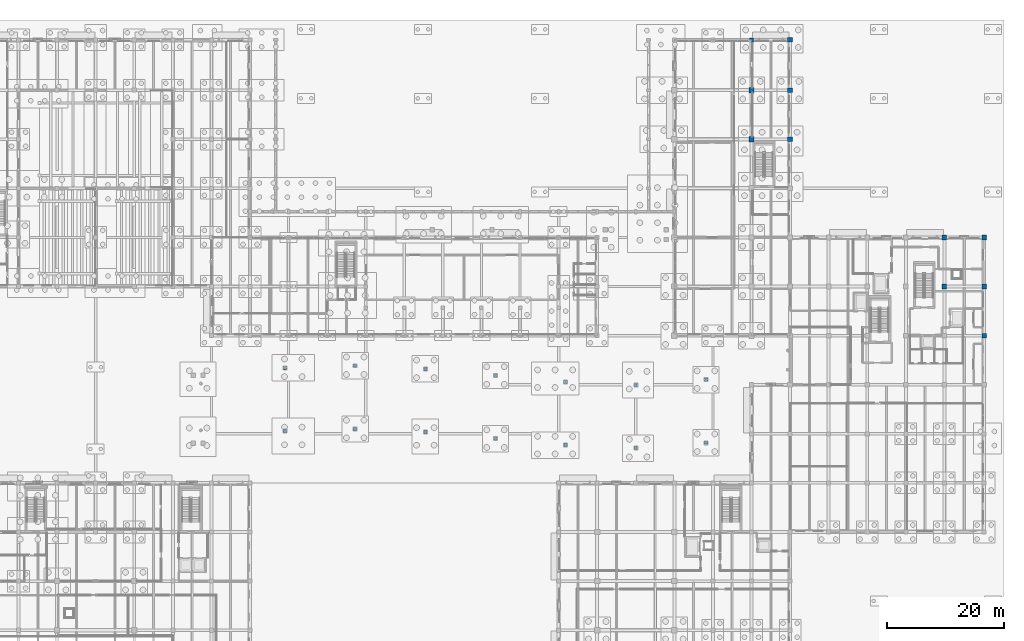
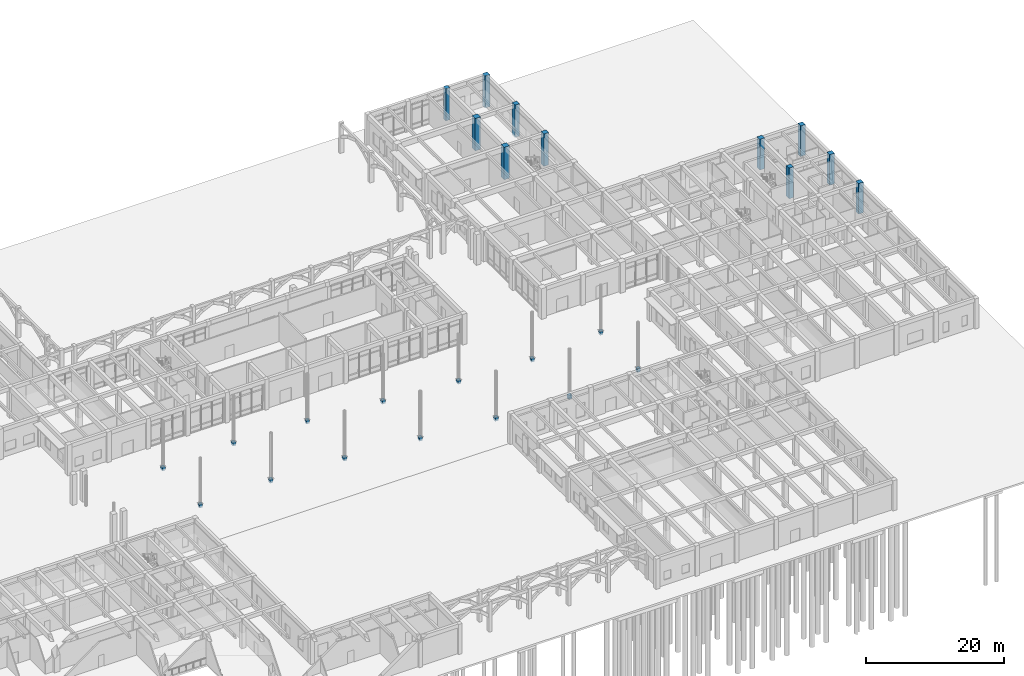
# One storey, part 20 of 82: 25 columns.
"""IFC4 building model written with IfcOpenShell, lengths in metres."""

from ifc_helpers import new_model, si_unit, direction, frame, origin, origin_2d, place, context, subcontext, project, spatial, rectangle, extrude, material, material_profile, profile_set, type_object, element, save


model = new_model("IFC4")

# Units and contexts
model_context = context("Model", 3, precision=1e-05, world=origin(), true_north=direction((0.0, 1.0)))
body_context = subcontext(model_context, "Body", "Model", "MODEL_VIEW")
ifc_project = project(units=[si_unit("LENGTHUNIT", "METRE"), si_unit("AREAUNIT", "SQUARE_METRE"), si_unit("VOLUMEUNIT", "CUBIC_METRE"), si_unit("PLANEANGLEUNIT", "RADIAN"), si_unit("MASSUNIT", "GRAM", prefix="KILO")], contexts=[model_context])

# Site, building, storey
site_placement = place(None, origin())
site = spatial("IfcSite", under=ifc_project, at=site_placement, CompositionType="ELEMENT")
building_placement = place(site_placement, origin())
building = spatial("IfcBuilding", under=site, at=building_placement, Name="Kolvaren Faculty of Natural Sciences", CompositionType="ELEMENT")
storey_placement = place(building_placement, origin())
storey = spatial("IfcBuildingStorey", under=building, at=storey_placement, Name="L00", CompositionType="ELEMENT", Elevation=0.0)

# Columns
ifc_material_1 = material(Name="Concrete C35/45", Category="concrete")
ifc_material_profile_1 = material_profile(ifc_material_1, rectangle(XDim=0.5, YDim=0.5, at=origin_2d()), Name="RC COL 500x500")
ifc_profile_set_1 = profile_set([ifc_material_profile_1], Name="Concrete C35/45")
column_type_1 = type_object("IfcColumnType", Name="GaliboColumn_500x500", PredefinedType="COLUMN", material=ifc_profile_set_1)
for number, where, z_axis, x_axis, name in (
    (1, (52.39990234375, 51.09375, -0.320068359375), (0.0, 0.0, 1.0), (1.0, 0.0, 0.0), "Steel tree TREE-01 RC pedestal pier"),
    (2, (52.39990234375, 61.893798828125, -0.320068359375), (0.0, 0.0, 1.0), (1.0, 0.0, 0.0), "Steel tree TREE-02 RC pedestal pier"),
    (3, (64.39990234375, 51.444580078125, -0.320068359375), (0.0, 0.0, 1.0), (1.0, 0.0, 0.0), "Steel tree TREE-03 RC pedestal pier"),
    (4, (64.39990234375, 62.244384765625, -0.320068359375), (0.0, 0.0, 1.0), (1.0, 0.0, 0.0), "Steel tree TREE-04 RC pedestal pier"),
    (5, (76.39990234375, 50.91064453125, -0.320068359375), (0.0, 0.0, 1.0), (1.0, 0.0, 0.0), "Steel tree TREE-05 RC pedestal pier"),
    (6, (76.39990234375, 61.710693359375, -0.320068359375), (0.0, 0.0, 1.0), (1.0, 0.0, 0.0), "Steel tree TREE-06 RC pedestal pier"),
    (7, (88.39990234375, 49.779296875, -0.320068359375), (0.0, 0.0, 1.0), (1.0, 0.0, 0.0), "Steel tree TREE-07 RC pedestal pier"),
    (8, (88.39990234375, 60.579345703125, -0.320068359375), (0.0, 0.0, 1.0), (1.0, 0.0, 0.0), "Steel tree TREE-08 RC pedestal pier"),
    (9, (100.39990234375, 48.6591796875, -0.320068359375), (0.0, 0.0, 1.0), (1.0, 0.0, 0.0), "Steel tree TREE-09 RC pedestal pier"),
    (10, (100.39990234375, 59.458984375, -0.320068359375), (0.0, 0.0, 1.0), (1.0, 0.0, 0.0), "Steel tree TREE-10 RC pedestal pier"),
    (11, (112.39990234375, 48.152587890625, -0.320068359375), (0.0, 0.0, 1.0), (1.0, 0.0, 0.0), "Steel tree TREE-11 RC pedestal pier"),
    (12, (112.39990234375, 58.95263671875, -0.320068359375), (0.0, 0.0, 1.0), (1.0, 0.0, 0.0), "Steel tree TREE-12 RC pedestal pier"),
    (13, (124.39990234375, 49.069580078125, -0.320068359375), (0.0, 0.0, 1.0), (1.0, 0.0, 0.0), "Steel tree TREE-13 RC pedestal pier"),
    (14, (124.39990234375, 59.86962890625, -0.320068359375), (0.0, 0.0, 1.0), (1.0, 0.0, 0.0), "Steel tree TREE-14 RC pedestal pier"),
):
    element("IfcColumn", number, at=place(storey_placement, frame(where, z_axis=z_axis, x_axis=x_axis)), inside=storey, type_object=column_type_1, Name=name, PredefinedType="COLUMN", context=body_context, shape_type="SweptSolid", body=[
        extrude(rectangle(XDim=0.5, YDim=0.5, at=origin_2d()), origin(), (0.0, 0.0, 1.0), 0.670166015625),
    ])
ifc_material_2 = material(Name="Concrete C40/50", Category="concrete")
ifc_material_profile_2 = material_profile(ifc_material_2, rectangle(XDim=0.89990234375, YDim=0.89990234375, at=origin_2d()), Name="RC COL 900x900")
ifc_profile_set_2 = profile_set([ifc_material_profile_2], Name="Concrete C40/50")
column_type_2 = type_object("IfcColumnType", Name="MegaColumn_900x900", PredefinedType="COLUMN", material=ifc_profile_set_2)
for number, where, z_axis, x_axis, name in (
    (15, (132.199951171875, 101.0, -0.320068359375), (0.0, 0.0, 1.0), (1.0, 0.0, 0.0), "L00 column MC-1 at 21/N"),
    (16, (132.199951171875, 109.39990234375, -0.320068359375), (0.0, 0.0, 1.0), (1.0, 0.0, 0.0), "L00 column MC-1 at 21/P"),
):
    element("IfcColumn", number, at=place(storey_placement, frame(where, z_axis=z_axis, x_axis=x_axis)), inside=storey, type_object=column_type_2, Name=name, PredefinedType="COLUMN", context=body_context, shape_type="SweptSolid", body=[
        extrude(rectangle(XDim=0.89990234375, YDim=0.89990234375, at=origin_2d()), origin(), (0.0, 0.0, 1.0), 5.719970703125),
    ])
ifc_material_profile_3 = material_profile(ifc_material_2, rectangle(XDim=0.800048828125, YDim=0.800048828125, at=origin_2d()), Name="RC COL 800x800")
ifc_profile_set_3 = profile_set([ifc_material_profile_3], Name="Concrete C40/50")
column_type_3 = type_object("IfcColumnType", Name="TowerColumn_800x800", PredefinedType="COLUMN", material=ifc_profile_set_3)
for number, where, z_axis, x_axis, name in (
    (17, (138.800048828125, 101.0, -0.320068359375), (0.0, 0.0, 1.0), (1.0, 0.0, 0.0), "L00 column TC-80 at 22/N"),
    (18, (138.800048828125, 109.39990234375, -0.320068359375), (0.0, 0.0, 1.0), (1.0, 0.0, 0.0), "L00 column TC-80 at 22/P"),
):
    element("IfcColumn", number, at=place(storey_placement, frame(where, z_axis=z_axis, x_axis=x_axis)), inside=storey, type_object=column_type_3, Name=name, PredefinedType="COLUMN", context=body_context, shape_type="SweptSolid", body=[
        extrude(rectangle(XDim=0.800048828125, YDim=0.800048828125, at=origin_2d()), origin(), (0.0, 0.0, 1.0), 5.719970703125),
    ])
column_1_placement = place(storey_placement, frame((138.800048828125, 118.0, -0.320068359375), z_axis=(0.0, 0.0, 1.0), x_axis=(1.0, 0.0, 0.0)))
element("IfcColumn", 19, at=column_1_placement, inside=storey, type_object=column_type_3, Name="L00 column TC-80 at 22/Q", PredefinedType="COLUMN", context=body_context, shape_type="SweptSolid", body=[
    extrude(rectangle(XDim=0.800048828125, YDim=0.800048828125, at=origin_2d()), origin(), (0.0, 0.0, 1.0), 5.66015625),
])
for number, where, z_axis, x_axis, name in (
    (20, (165.199951171875, 75.800048828125, 0.0), (0.0, 0.0, 1.0), (1.0, 0.0, 0.0), "L00 column TC-80 at 26/K"),
    (21, (165.199951171875, 84.199951171875, 0.0), (0.0, 0.0, 1.0), (1.0, 0.0, 0.0), "L00 column TC-80 at 26/L"),
    (22, (172.0, 67.39990234375, 0.0), (0.0, 0.0, 1.0), (1.0, 0.0, 0.0), "L00 column TC-80 at 27/J"),
    (23, (172.0, 75.800048828125, 0.0), (0.0, 0.0, 1.0), (1.0, 0.0, 0.0), "L00 column TC-80 at 27/K"),
    (24, (172.0, 84.199951171875, 0.0), (0.0, 0.0, 1.0), (1.0, 0.0, 0.0), "L00 column TC-80 at 27/L"),
):
    element("IfcColumn", number, at=place(storey_placement, frame(where, z_axis=z_axis, x_axis=x_axis)), inside=storey, type_object=column_type_3, Name=name, PredefinedType="COLUMN", context=body_context, shape_type="SweptSolid", body=[
        extrude(rectangle(XDim=0.800048828125, YDim=0.800048828125, at=origin_2d()), origin(), (0.0, 0.0, 1.0), 5.39990234375),
    ])
ifc_material_profile_4 = material_profile(ifc_material_2, rectangle(XDim=0.699951171875, YDim=0.699951171875, at=origin_2d()), Name="RC COL 700x700")
ifc_profile_set_4 = profile_set([ifc_material_profile_4], Name="Concrete C40/50")
column_type_4 = type_object("IfcColumnType", Name="WingColumn_700x700", PredefinedType="COLUMN", material=ifc_profile_set_4)
column_2_placement = place(storey_placement, frame((132.199951171875, 118.0, -0.320068359375), z_axis=(0.0, 0.0, 1.0), x_axis=(1.0, 0.0, 0.0)))
element("IfcColumn", 25, at=column_2_placement, inside=storey, type_object=column_type_4, Name="L00 column WC-70 at 21/Q", PredefinedType="COLUMN", context=body_context, shape_type="SweptSolid", body=[
    extrude(rectangle(XDim=0.699951171875, YDim=0.699951171875, at=origin_2d()), origin(), (0.0, 0.0, 1.0), 5.66015625),
])

save(model, "model.ifc")
